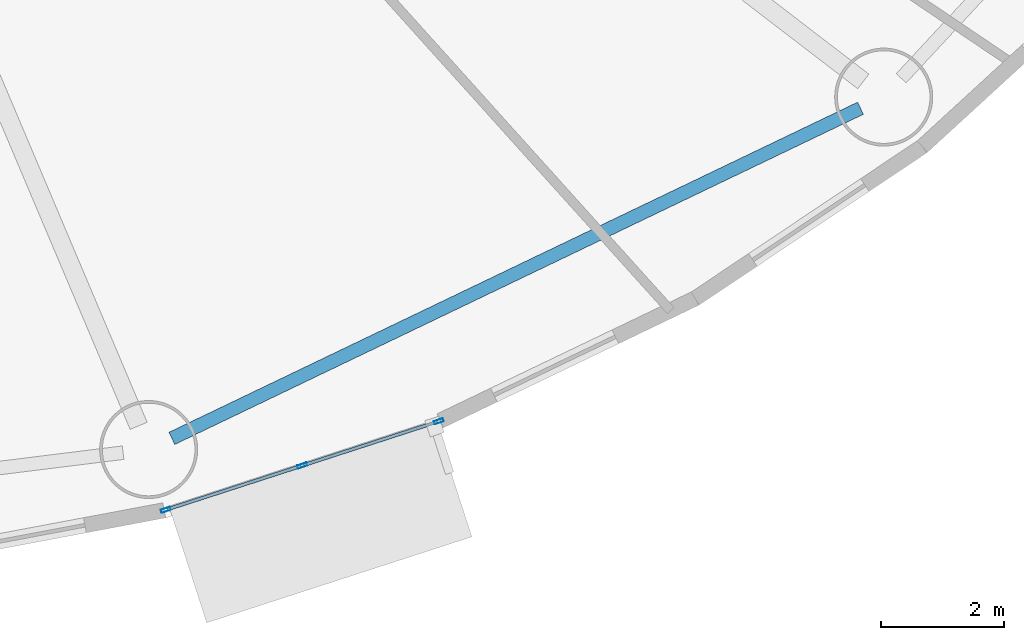
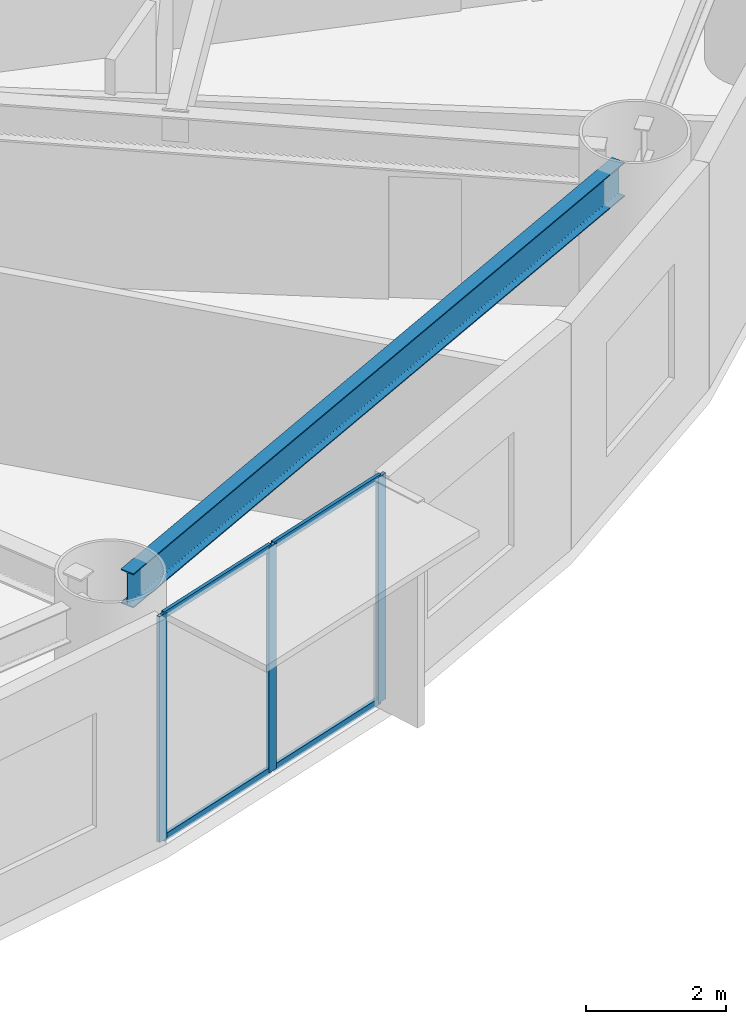
# One storey, part 7 of 35: 7 members, 1 beam, 1 element without a shape of its own.
"""IFC4 building model written with IfcOpenShell, lengths in metres."""

from ifc_helpers import new_model, si_unit, direction, frame, origin, origin_2d, place, context, subcontext, project, spatial, hollow_rectangle, i_section, extrude, source, transform, mapped, material, layer, layer_set, material_profile, profile_set, type_object, element, aggregate, save


model = new_model("IFC4")

# Units and contexts
model_context = context("Model", 3, precision=1e-05, world=origin(), true_north=direction((0.0, 1.0)))
body_context = subcontext(model_context, "Body", "Model", "MODEL_VIEW")
ifc_project = project(units=[si_unit("LENGTHUNIT", "METRE"), si_unit("AREAUNIT", "SQUARE_METRE"), si_unit("VOLUMEUNIT", "CUBIC_METRE"), si_unit("PLANEANGLEUNIT", "RADIAN"), si_unit("MASSUNIT", "GRAM", prefix="KILO")], contexts=[model_context])

# Site, building, storey
site_placement = place(None, origin())
site = spatial("IfcSite", under=ifc_project, at=site_placement, CompositionType="ELEMENT")
building_placement = place(site_placement, origin())
building = spatial("IfcBuilding", under=site, at=building_placement, Name="Linh Dai School and Residence Tower", CompositionType="ELEMENT")
storey_placement = place(building_placement, frame((0.0, 0.0, 49.199951171875)))
storey = spatial("IfcBuildingStorey", under=building, at=storey_placement, Name="L11", CompositionType="ELEMENT", Elevation=49.199951171875)

# Beam
ifc_material_1 = material(Name="Structural Steel S355JR", Category="steel")
ifc_material_profile_1 = material_profile(ifc_material_1, i_section(OverallWidth=0.219970703125, OverallDepth=0.60009765625, WebThickness=0.011962890625, FlangeThickness=0.01904296875, FilletRadius=0.02392578125, at=origin_2d()), Name="IPE 600")
ifc_profile_set_1 = profile_set([ifc_material_profile_1], Name="Structural Steel S355JR")
beam_type = type_object("IfcBeamType", Name="BM-RB60", PredefinedType="BEAM", material=ifc_profile_set_1)
beam_placement = place(storey_placement, frame((45.736572265625, 5.061767578125, 3.650146484375), z_axis=(0.901728693485, 0.432302398034, 0.0), x_axis=(-0.432302398034, 0.901728693485, 0.0)))
element("IfcBeam", 1, at=beam_placement, inside=storey, type_object=beam_type, Name="L11 Perimeter Elliptical Ring Beam 14", PredefinedType="BEAM", context=body_context, shape_type="SweptSolid", body=[
    extrude(i_section(OverallWidth=0.219970703125, OverallDepth=0.60009765625, WebThickness=0.011962890625, FlangeThickness=0.01904296875, FilletRadius=0.02392578125, at=origin_2d()), origin(), (0.0, 0.0, 1.0), 12.462158203125),
])

# Curtain wall, members
ifc_material_2 = material(Name="Aluminium Anodised Curtain Wall", Category="aluminium")
ifc_layer = layer(ifc_material_2, 0.159912109375)
ifc_layer_set = layer_set([ifc_layer], Name="Aluminium Anodised Curtain Wall")
curtain_wall_type = type_object("IfcCurtainWallType", Name="CW-SYS-3", PredefinedType="USERDEFINED", material=ifc_layer_set)
curtain_wall_placement = place(storey_placement, origin())
curtain_wall = element("IfcCurtainWall", 2, at=curtain_wall_placement, inside=storey, type_object=curtain_wall_type, Name="L11 CW3 Curtain Wall 33", ObjectType="RIBBON CURTAIN WALL", PredefinedType="USERDEFINED")
ifc_material_3 = material(Name="Aluminium Alloy 6063-T6", Category="aluminium")
ifc_material_profile_2 = material_profile(ifc_material_3, hollow_rectangle(XDim=0.054931640625, YDim=0.1201171875, WallThickness=0.00390625, at=origin_2d()), Name="RHS 120x55x4")
ifc_profile_set_2 = profile_set([ifc_material_profile_2], Name="Aluminium Alloy 6063-T6")
member_type_1 = type_object("IfcMemberType", Name="CW-SYS-3-TRN", PredefinedType="USERDEFINED", material=ifc_profile_set_2)
shared_shape_1 = source(origin(), body_context, "Body", "SweptSolid", [
    extrude(hollow_rectangle(XDim=0.054931640625, YDim=0.1201171875, WallThickness=0.00390625, at=origin_2d()), origin(), (0.0, 0.0, 1.0), 2.286865234375),
])
member_1_placement = place(storey_placement, frame((50.06591796875, 5.331787109375, 0.027587890625), z_axis=(-0.951214351328, -0.308530805313, 0.0), x_axis=(0.308530805313, -0.951214351328, 0.0)))
member_1 = element("IfcMember", 3, at=member_1_placement, type_object=member_type_1, Name="CW3 transom 1.1", ObjectType="TRANSOM", PredefinedType="USERDEFINED", context=body_context, shape_type="MappedRepresentation", body=[
    mapped(shared_shape_1, transform((0.0, 0.0, 0.0), x_axis=(1.0, 0.0, 0.0), y_axis=(0.0, 1.0, 0.0), z_axis=(0.0, 0.0, 1.0), scale=1.0)),
])
member_2_placement = place(storey_placement, frame((50.06591796875, 5.331787109375, 3.922607421875), z_axis=(-0.951214351328, -0.308530805313, 0.0), x_axis=(0.308530805313, -0.951214351328, 0.0)))
member_2 = element("IfcMember", 4, at=member_2_placement, type_object=member_type_1, Name="CW3 transom 1.2", ObjectType="TRANSOM", PredefinedType="USERDEFINED", context=body_context, shape_type="MappedRepresentation", body=[
    mapped(shared_shape_1, transform((0.0, 0.0, 0.0), x_axis=(1.0, 0.0, 0.0), y_axis=(0.0, 1.0, 0.0), z_axis=(0.0, 0.0, 1.0), scale=1.0)),
])
member_3_placement = place(storey_placement, frame((47.838134765625, 4.609375, 0.027587890625), z_axis=(-0.951214351328, -0.308530805313, 0.0), x_axis=(0.308530805313, -0.951214351328, 0.0)))
member_3 = element("IfcMember", 5, at=member_3_placement, type_object=member_type_1, Name="CW3 transom 2.1", ObjectType="TRANSOM", PredefinedType="USERDEFINED", context=body_context, shape_type="MappedRepresentation", body=[
    mapped(shared_shape_1, transform((0.0, 0.0, 0.0), x_axis=(1.0, 0.0, 0.0), y_axis=(0.0, 1.0, 0.0), z_axis=(0.0, 0.0, 1.0), scale=1.0)),
])
member_4_placement = place(storey_placement, frame((47.838134765625, 4.609375, 3.922607421875), z_axis=(-0.951214351328, -0.308530805313, 0.0), x_axis=(0.308530805313, -0.951214351328, 0.0)))
member_4 = element("IfcMember", 6, at=member_4_placement, type_object=member_type_1, Name="CW3 transom 2.2", ObjectType="TRANSOM", PredefinedType="USERDEFINED", context=body_context, shape_type="MappedRepresentation", body=[
    mapped(shared_shape_1, transform((0.0, 0.0, 0.0), x_axis=(1.0, 0.0, 0.0), y_axis=(0.0, 1.0, 0.0), z_axis=(0.0, 0.0, 1.0), scale=1.0)),
])
ifc_material_profile_3 = material_profile(ifc_material_3, hollow_rectangle(XDim=0.054931640625, YDim=0.159912109375, WallThickness=0.00390625, at=origin_2d()), Name="RHS 160x55x4")
ifc_profile_set_3 = profile_set([ifc_material_profile_3], Name="Aluminium Alloy 6063-T6")
member_type_2 = type_object("IfcMemberType", Name="CW-SYS-3-MUL", PredefinedType="MULLION", material=ifc_profile_set_3)
shared_shape_2 = source(origin(), body_context, "Body", "SweptSolid", [
    extrude(hollow_rectangle(XDim=0.054931640625, YDim=0.159912109375, WallThickness=0.00390625, at=origin_2d()), origin(), (0.0, 0.0, 1.0), 3.949951171875),
])
member_5_placement = place(storey_placement, frame((50.092041015625, 5.34033203125, 0.0), z_axis=(0.0, 0.0, 1.0), x_axis=(0.308510993844, -0.951220777043, 0.0)))
member_5 = element("IfcMember", 7, at=member_5_placement, type_object=member_type_2, Name="CW3 mullion 1", PredefinedType="MULLION", context=body_context, shape_type="MappedRepresentation", body=[
    mapped(shared_shape_2, transform((0.0, 0.0, 0.0), x_axis=(1.0, 0.0, 0.0), y_axis=(0.0, 1.0, 0.0), z_axis=(0.0, 0.0, 1.0), scale=1.0)),
])
member_6_placement = place(storey_placement, frame((47.8642578125, 4.617919921875, 0.0), z_axis=(0.0, 0.0, 1.0), x_axis=(0.308510993844, -0.951220777043, 0.0)))
member_6 = element("IfcMember", 8, at=member_6_placement, type_object=member_type_2, Name="CW3 mullion 2", PredefinedType="MULLION", context=body_context, shape_type="MappedRepresentation", body=[
    mapped(shared_shape_2, transform((0.0, 0.0, 0.0), x_axis=(1.0, 0.0, 0.0), y_axis=(0.0, 1.0, 0.0), z_axis=(0.0, 0.0, 1.0), scale=1.0)),
])
member_7_placement = place(storey_placement, frame((45.63671875, 3.895263671875, 0.0), z_axis=(0.0, 0.0, 1.0), x_axis=(0.308510993844, -0.951220777043, 0.0)))
member_7 = element("IfcMember", 9, at=member_7_placement, type_object=member_type_2, Name="CW3 mullion 3", PredefinedType="MULLION", context=body_context, shape_type="MappedRepresentation", body=[
    mapped(shared_shape_2, transform((0.0, 0.0, 0.0), x_axis=(1.0, 0.0, 0.0), y_axis=(0.0, 1.0, 0.0), z_axis=(0.0, 0.0, 1.0), scale=1.0)),
])
aggregate(curtain_wall, [member_5, member_6, member_7, member_1, member_2, member_3, member_4])

save(model, "model.ifc")
